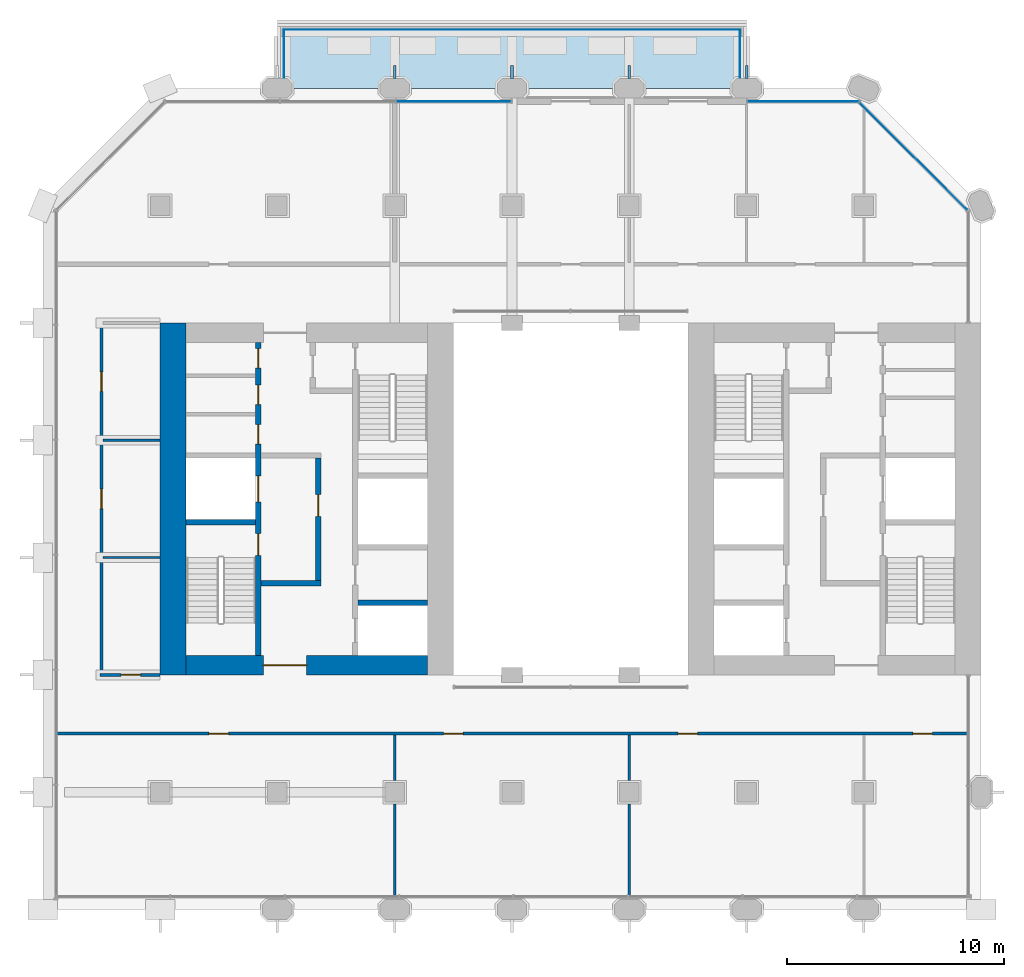
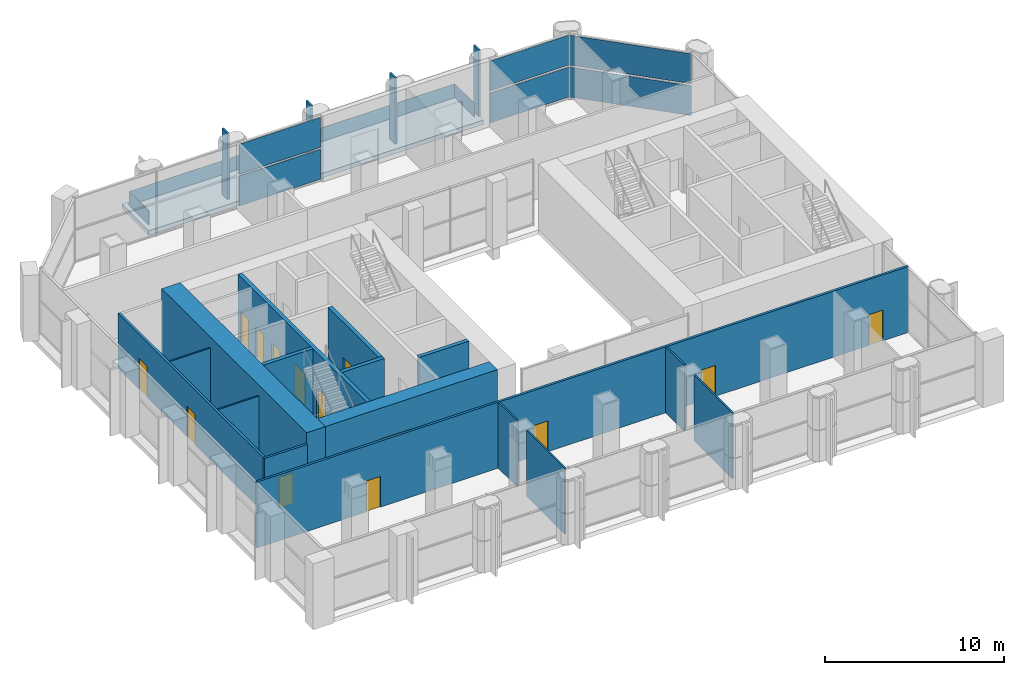
# One storey, part 10 of 15: 16 walls, 14 doors, 13 plates, 1 slab, 14 openings, 3 elements without a shape of their own.
"""IFC4 building model written with IfcOpenShell, lengths in metres."""

from ifc_helpers import new_model, si_unit, direction, frame, frame_2d, origin, origin_2d, place, context, subcontext, project, spatial, polyline, rectangle, outline, extrude, material, layer, layer_set, type_object, element, fill, aggregate, save


model = new_model("IFC4")

# Units and contexts
model_context = context("Model", 3, precision=1e-05, world=origin(), true_north=direction((0.0, 1.0)))
body_context = subcontext(model_context, "Body", "Model", "MODEL_VIEW")
ifc_project = project(units=[si_unit("LENGTHUNIT", "METRE"), si_unit("AREAUNIT", "SQUARE_METRE"), si_unit("VOLUMEUNIT", "CUBIC_METRE"), si_unit("PLANEANGLEUNIT", "RADIAN"), si_unit("MASSUNIT", "GRAM", prefix="KILO")], contexts=[model_context])

# Site, building, storey
site_placement = place(None, origin())
site = spatial("IfcSite", under=ifc_project, at=site_placement, CompositionType="ELEMENT")
building_placement = place(site_placement, origin())
building = spatial("IfcBuilding", under=site, at=building_placement, Name="Tabaq Tower and Sports Hall", CompositionType="ELEMENT")
storey_placement = place(building_placement, frame((0.0, 0.0, 138.39990234375)))
storey = spatial("IfcBuildingStorey", under=building, at=storey_placement, Name="L32", CompositionType="ELEMENT", Elevation=138.39990234375)

# Curtain wall, plates
ifc_material_1 = material(Name="Aluminium alloy 6063-T6 framed glazing", Category="aluminium")
curtain_wall_type = type_object("IfcCurtainWallType", Name="CW3 curtain wall", PredefinedType="USERDEFINED", material=ifc_material_1)
curtain_wall_1_placement = place(storey_placement, origin())
curtain_wall_1 = element("IfcCurtainWall", 1, at=curtain_wall_1_placement, inside=storey, type_object=curtain_wall_type, Name="Garden Floor Wall L32 NE", ObjectType="GARDEN FLOOR WALL", PredefinedType="USERDEFINED")
ifc_material_2 = material(Name="Clear low-emissivity glass 28 mm", Category="glass")
ifc_layer_1 = layer(ifc_material_2, 0.028076171875)
ifc_layer_set_1 = layer_set([ifc_layer_1], Name="CW3 glass panel 28")
plate_type_1 = type_object("IfcPlateType", Name="CW3 glass panel 28", PredefinedType="CURTAIN_PANEL", material=ifc_layer_set_1)
plate_1_placement = place(storey_placement, frame((40.07568359375, 40.07568359375, 0.14013671875), z_axis=(0.0, 0.0, 1.0), x_axis=(-0.707106781187, 0.707106781187, 0.0)))
plate_1 = element("IfcPlate", 2, at=plate_1_placement, type_object=plate_type_1, Name="CW3 panel 1.1", PredefinedType="CURTAIN_PANEL", context=body_context, shape_type="SweptSolid", body=[
    extrude(rectangle(XDim=7.019775390625, YDim=0.028076171875, at=origin_2d()), origin(), (0.0, 0.0, 1.0), 2.0400390625),
])
plate_2_placement = place(storey_placement, frame((40.07568359375, 40.07568359375, 2.320068359375), z_axis=(0.0, 0.0, 1.0), x_axis=(-0.707106781187, 0.707106781187, 0.0)))
plate_2 = element("IfcPlate", 3, at=plate_2_placement, type_object=plate_type_1, Name="CW3 panel 1.2", PredefinedType="CURTAIN_PANEL", context=body_context, shape_type="SweptSolid", body=[
    extrude(rectangle(XDim=7.019775390625, YDim=0.028076171875, at=origin_2d()), origin(), (0.0, 0.0, 1.0), 2.0400390625),
])
aggregate(curtain_wall_1, [plate_1, plate_2])

curtain_wall_2_placement = place(storey_placement, origin())
curtain_wall_2 = element("IfcCurtainWall", 4, at=curtain_wall_2_placement, inside=storey, type_object=curtain_wall_type, Name="Garden Floor Wall L32 N", ObjectType="GARDEN FLOOR WALL", PredefinedType="USERDEFINED")
plate_3_placement = place(storey_placement, frame((35.0068359375, 42.60009765625, 0.14013671875), z_axis=(0.0, 0.0, 1.0), x_axis=(-1.0, 0.0, 0.0)))
plate_3 = element("IfcPlate", 5, at=plate_3_placement, type_object=plate_type_1, Name="CW3 panel 1.1", PredefinedType="CURTAIN_PANEL", context=body_context, shape_type="SweptSolid", body=[
    extrude(rectangle(XDim=5.093505859375, YDim=0.028076171875, at=origin_2d()), origin(), (0.0, 0.0, 1.0), 2.0400390625),
])
plate_4_placement = place(storey_placement, frame((35.0068359375, 42.60009765625, 2.320068359375), z_axis=(0.0, 0.0, 1.0), x_axis=(-1.0, 0.0, 0.0)))
plate_4 = element("IfcPlate", 6, at=plate_4_placement, type_object=plate_type_1, Name="CW3 panel 1.2", PredefinedType="CURTAIN_PANEL", context=body_context, shape_type="SweptSolid", body=[
    extrude(rectangle(XDim=5.093505859375, YDim=0.028076171875, at=origin_2d()), origin(), (0.0, 0.0, 1.0), 2.0400390625),
])
aggregate(curtain_wall_2, [plate_3, plate_4])

curtain_wall_3_placement = place(storey_placement, origin())
curtain_wall_3 = element("IfcCurtainWall", 7, at=curtain_wall_3_placement, inside=storey, type_object=curtain_wall_type, Name="Garden Floor Wall L32 N", ObjectType="GARDEN FLOOR WALL", PredefinedType="USERDEFINED")
plate_5_placement = place(storey_placement, frame((18.916015625, 42.60009765625, 0.14013671875), z_axis=(0.0, 0.0, 1.0), x_axis=(-1.0, 0.0, 0.0)))
plate_5 = element("IfcPlate", 8, at=plate_5_placement, type_object=plate_type_1, Name="CW3 panel 1.1", PredefinedType="CURTAIN_PANEL", context=body_context, shape_type="SweptSolid", body=[
    extrude(rectangle(XDim=5.247802734375, YDim=0.028076171875, at=origin_2d()), origin(), (0.0, 0.0, 1.0), 2.0400390625),
])
plate_6_placement = place(storey_placement, frame((18.916015625, 42.60009765625, 2.320068359375), z_axis=(0.0, 0.0, 1.0), x_axis=(-1.0, 0.0, 0.0)))
plate_6 = element("IfcPlate", 9, at=plate_6_placement, type_object=plate_type_1, Name="CW3 panel 1.2", PredefinedType="CURTAIN_PANEL", context=body_context, shape_type="SweptSolid", body=[
    extrude(rectangle(XDim=5.247802734375, YDim=0.028076171875, at=origin_2d()), origin(), (0.0, 0.0, 1.0), 2.0400390625),
])
aggregate(curtain_wall_3, [plate_5, plate_6])

# Slab
ifc_material_3 = material(Name="Concrete C40/50", Category="concrete")
ifc_layer_2 = layer(ifc_material_3, 0.300048828125)
ifc_layer_set_2 = layer_set([ifc_layer_2], Name="Concrete C40/50 PT tray slab 300")
slab_type = type_object("IfcSlabType", Name="Concrete C40/50 PT tray slab 300", PredefinedType="FLOOR", material=ifc_layer_set_2)
slab_placement = place(storey_placement, frame((0.0, 0.0, -0.2998046875)))
element("IfcSlab", 10, at=slab_placement, inside=storey, type_object=slab_type, Name="Tray slab L32", PredefinedType="FLOOR", context=body_context, shape_type="SweptSolid", body=[
    extrude(outline(polyline([(32.39990234375, 43.199951171875), (10.800048828125, 43.199951171875), (10.800048828125, 46.199951171875), (32.39990234375, 46.199951171875), (32.39990234375, 43.199951171875)])), origin(), (0.0, 0.0, 1.0), 0.2998046875),
])

# Plates
ifc_material_4 = material(Name="Clear low-emissivity glass 28 mm", Category="glass")
ifc_layer_3 = layer(ifc_material_4, 0.02001953125)
ifc_layer_set_3 = layer_set([ifc_layer_3], Name="Laminated glass tray guard panel 20")
plate_type_2 = type_object("IfcPlateType", Name="Laminated glass tray guard panel 20", PredefinedType="USERDEFINED", material=ifc_layer_set_3)
plate_7_placement = place(storey_placement, frame((32.10009765625, 43.699951171875, 0.0), z_axis=(0.0, 0.0, 1.0), x_axis=(0.0, 1.0, 0.0)))
element("IfcPlate", 11, at=plate_7_placement, inside=storey, type_object=plate_type_2, Name="Tray guard glass L32", ObjectType="GUARD GLASS", PredefinedType="USERDEFINED", context=body_context, shape_type="SweptSolid", body=[
    extrude(rectangle(XDim=2.199951171875, YDim=0.02001953125, at=frame_2d((1.10009765625, 0.0))), origin(), (0.0, 0.0, 1.0), 0.9501953125),
])
plate_8_placement = place(storey_placement, frame((32.10009765625, 45.89990234375, 0.0), z_axis=(0.0, 0.0, 1.0), x_axis=(-1.0, 0.0, 0.0)))
element("IfcPlate", 12, at=plate_8_placement, inside=storey, type_object=plate_type_2, Name="Tray guard glass L32", ObjectType="GUARD GLASS", PredefinedType="USERDEFINED", context=body_context, shape_type="SweptSolid", body=[
    extrude(rectangle(XDim=21.0, YDim=0.02001953125, at=frame_2d((10.5, 0.0))), origin(), (0.0, 0.0, 1.0), 0.9501953125),
])
plate_9_placement = place(storey_placement, frame((11.10009765625, 45.89990234375, 0.0), z_axis=(0.0, 0.0, 1.0), x_axis=(0.0, -1.0, 0.0)))
element("IfcPlate", 13, at=plate_9_placement, inside=storey, type_object=plate_type_2, Name="Tray guard glass L32", ObjectType="GUARD GLASS", PredefinedType="USERDEFINED", context=body_context, shape_type="SweptSolid", body=[
    extrude(rectangle(XDim=2.199951171875, YDim=0.02001953125, at=frame_2d((1.10009765625, 0.0))), origin(), (0.0, 0.0, 1.0), 0.9501953125),
])
ifc_material_5 = material(Name="White precast concrete C60/75 fin", Category="concrete")
ifc_layer_4 = layer(ifc_material_5, 0.1201171875)
ifc_layer_set_4 = layer_set([ifc_layer_4], Name="White precast concrete C60/75 fin 120")
plate_type_3 = type_object("IfcPlateType", Name="White precast concrete C60/75 fin 120", PredefinedType="USERDEFINED", material=ifc_layer_set_4)
for number, where, z_axis, x_axis, name in (
    (14, (32.39990234375, 43.949951171875, 0.0), (0.0, 0.0, 1.0), (-1.0, 0.0, 0.0), "Fin L32 N"),
    (15, (27.0, 43.949951171875, 0.0), (0.0, 0.0, 1.0), (-1.0, 0.0, 0.0), "Fin L32 N"),
    (16, (21.60009765625, 43.949951171875, 0.0), (0.0, 0.0, 1.0), (-1.0, 0.0, 0.0), "Fin L32 N"),
    (17, (16.199951171875, 43.949951171875, 0.0), (0.0, 0.0, 1.0), (-1.0, 0.0, 0.0), "Fin L32 N"),
):
    element("IfcPlate", number, at=place(storey_placement, frame(where, z_axis=z_axis, x_axis=x_axis)), inside=storey, type_object=plate_type_3, Name=name, ObjectType="FIN", PredefinedType="USERDEFINED", context=body_context, shape_type="SweptSolid", body=[
        extrude(rectangle(XDim=0.1201171875, YDim=0.60009765625, at=origin_2d()), origin(), (0.0, 0.0, 1.0), 4.5),
    ])

# Wall
ifc_material_6 = material(Name="Concrete C50/60", Category="concrete")
ifc_layer_5 = layer(ifc_material_6, 1.199951171875)
ifc_layer_set_5 = layer_set([ifc_layer_5], Name="Core wall 1200 Concrete C50/60")
wall_type_1 = type_object("IfcWallType", Name="Core wall 1200 Concrete C50/60", PredefinedType="SOLIDWALL", material=ifc_layer_set_5)
wall_1_placement = place(storey_placement, frame((6.0, 16.199951171875, 0.0), z_axis=(0.0, 0.0, 1.0), x_axis=(0.0, 1.0, 0.0)))
element("IfcWall", 18, at=wall_1_placement, inside=storey, type_object=wall_type_1, Name="Core wall W L32", PredefinedType="SOLIDWALL", context=body_context, shape_type="SweptSolid", body=[
    extrude(rectangle(XDim=16.199951171875, YDim=1.199951171875, at=frame_2d((8.10009765625, 0.0))), origin(), (0.0, 0.0, 1.0), 4.5),
])

# Wall, opening, door
ifc_material_7 = material(Name="Concrete C50/60", Category="concrete")
ifc_layer_6 = layer(ifc_material_7, 0.89990234375)
ifc_layer_set_6 = layer_set([ifc_layer_6], Name="Core wall 900 Concrete C50/60")
wall_type_2 = type_object("IfcWallType", Name="Core wall 900 Concrete C50/60", PredefinedType="SOLIDWALL", material=ifc_layer_set_6)
wall_2_placement = place(storey_placement, frame((17.699951171875, 16.64990234375, 0.0), z_axis=(0.0, 0.0, 1.0), x_axis=(-1.0, 0.0, 0.0)))
wall_2 = element("IfcWall", 19, at=wall_2_placement, inside=storey, type_object=wall_type_2, Name="Core wall W L32", PredefinedType="SOLIDWALL", context=body_context, shape_type="SweptSolid", body=[
    extrude(rectangle(XDim=11.099853515625, YDim=0.89990234375, at=frame_2d((5.5498046875, 0.0))), origin(), (0.0, 0.0, 1.0), 4.5),
])
opening_1_placement = place(wall_2_placement, frame((5.550048828125, 0.0, 0.0)))
opening_1 = element("IfcOpeningElement", 20, at=opening_1_placement, cuts=wall_2, Name="Opening PD-WL32-01", PredefinedType="OPENING", context=body_context, shape_type="SweptSolid", body=[
    extrude(rectangle(XDim=2.0, YDim=2.39990234375, at=frame_2d((1.0, 1.199951171875))), frame((0.0, 0.449951171875, 0.0), z_axis=(0.0, -1.0, 0.0), x_axis=(1.0, 0.0, 0.0)), (0.0, 0.0, 1.0), 0.89990234375),
])
ifc_material_8 = material(Name="Steel fire door", Category="steel")
door_type_1 = type_object("IfcDoorType", Name="Core entrance door 2000", OperationType="DOUBLE_DOOR_SINGLE_SWING", PredefinedType="DOOR", material=ifc_material_8)
door_1_placement = place(opening_1_placement, origin())
door_1 = element("IfcDoor", 21, at=door_1_placement, inside=storey, type_object=door_type_1, Name="Core entrance south W L32", OperationType="DOUBLE_DOOR_SINGLE_SWING", OverallHeight=2.39990234375, OverallWidth=2.0, PredefinedType="DOOR", context=body_context, shape_type="SweptSolid", body=[
    extrude(rectangle(XDim=2.0, YDim=2.39990234375, at=frame_2d((1.0, 1.199951171875))), frame((0.0, 0.02490234375, 0.0), z_axis=(0.0, -1.0, 0.0), x_axis=(1.0, 0.0, 0.0)), (0.0, 0.0, 1.0), 0.050048828125),
])
fill(opening_1, door_1)

# Walls
ifc_material_9 = material(Name="Gypsum board on steel studs", Category="steel")
ifc_layer_7 = layer(ifc_material_9, 0.10009765625)
ifc_layer_set_7 = layer_set([ifc_layer_7], Name="Partition 100 Gypsum board")
wall_type_3 = type_object("IfcWallType", Name="Partition 100 Gypsum board", PredefinedType="PARTITIONING", material=ifc_layer_set_7)
wall_3_placement = place(storey_placement, frame((16.199951171875, 6.0, 0.0), z_axis=(0.0, 0.0, 1.0), x_axis=(0.0, 1.0, 0.0)))
element("IfcWall", 22, at=wall_3_placement, inside=storey, type_object=wall_type_3, Name="Partition wall L32", PredefinedType="PARTITIONING", context=body_context, shape_type="SweptSolid", body=[
    extrude(rectangle(XDim=4.249267578125, YDim=0.10009765625, at=frame_2d((2.12451171875, 0.0))), origin(), (0.0, 0.0, 1.0), 4.5),
])
wall_4_placement = place(storey_placement, frame((16.199951171875, 11.3505859375, 0.0), z_axis=(0.0, 0.0, 1.0), x_axis=(0.0, 1.0, 0.0)))
element("IfcWall", 23, at=wall_4_placement, inside=storey, type_object=wall_type_3, Name="Partition wall L32", PredefinedType="PARTITIONING", context=body_context, shape_type="SweptSolid", body=[
    extrude(rectangle(XDim=2.074462890625, YDim=0.10009765625, at=frame_2d((1.037109375, 0.0))), origin(), (0.0, 0.0, 1.0), 4.5),
])
wall_5_placement = place(storey_placement, frame((27.0, 6.0, 0.0), z_axis=(0.0, 0.0, 1.0), x_axis=(0.0, 1.0, 0.0)))
element("IfcWall", 24, at=wall_5_placement, inside=storey, type_object=wall_type_3, Name="Partition wall L32", PredefinedType="PARTITIONING", context=body_context, shape_type="SweptSolid", body=[
    extrude(rectangle(XDim=4.249267578125, YDim=0.10009765625, at=frame_2d((2.12451171875, 0.0))), origin(), (0.0, 0.0, 1.0), 4.5),
])
wall_6_placement = place(storey_placement, frame((27.0, 11.3505859375, 0.0), z_axis=(0.0, 0.0, 1.0), x_axis=(0.0, 1.0, 0.0)))
element("IfcWall", 25, at=wall_6_placement, inside=storey, type_object=wall_type_3, Name="Partition wall L32", PredefinedType="PARTITIONING", context=body_context, shape_type="SweptSolid", body=[
    extrude(rectangle(XDim=2.074462890625, YDim=0.10009765625, at=frame_2d((1.037109375, 0.0))), origin(), (0.0, 0.0, 1.0), 4.5),
])
for number, where, z_axis, x_axis, name in (
    (26, (5.39990234375, 21.60009765625, 0.0), (0.0, 0.0, 1.0), (-1.0, 0.0, 0.0), "Partition wall L32"),
    (27, (5.39990234375, 27.0, 0.0), (0.0, 0.0, 1.0), (-1.0, 0.0, 0.0), "Partition wall L32"),
):
    element("IfcWall", number, at=place(storey_placement, frame(where, z_axis=z_axis, x_axis=x_axis)), inside=storey, type_object=wall_type_3, Name=name, PredefinedType="PARTITIONING", context=body_context, shape_type="SweptSolid", body=[
        extrude(rectangle(XDim=2.625, YDim=0.10009765625, at=frame_2d((1.3125, 0.0))), origin(), (0.0, 0.0, 1.0), 3.75),
    ])

# Wall, opening, door
ifc_material_10 = material(Name="Blockwork", Category="masonry")
ifc_layer_8 = layer(ifc_material_10, 0.14990234375)
ifc_layer_set_8 = layer_set([ifc_layer_8], Name="Separating wall 150 Blockwork")
wall_type_4 = type_object("IfcWallType", Name="Separating wall 150 Blockwork", PredefinedType="PARTITIONING", material=ifc_layer_set_8)
wall_7_placement = place(storey_placement, frame((5.39990234375, 16.199951171875, 0.0), z_axis=(0.0, 0.0, 1.0), x_axis=(-1.0, 0.0, 0.0)))
wall_7 = element("IfcWall", 28, at=wall_7_placement, inside=storey, type_object=wall_type_4, Name="Separating wall L32", PredefinedType="PARTITIONING", context=body_context, shape_type="SweptSolid", body=[
    extrude(rectangle(XDim=2.77490234375, YDim=0.14990234375, at=frame_2d((1.387451171875, 0.0))), origin(), (0.0, 0.0, 1.0), 3.75),
])
opening_2_placement = place(wall_7_placement, frame((0.89990234375, 0.0, 0.0)))
opening_2 = element("IfcOpeningElement", 29, at=opening_2_placement, cuts=wall_7, Name="Opening L32-010", PredefinedType="OPENING", context=body_context, shape_type="SweptSolid", body=[
    extrude(rectangle(XDim=0.89990234375, YDim=2.10009765625, at=frame_2d((0.449951171875, 1.050048828125))), frame((0.0, 0.074951171875, 0.0), z_axis=(0.0, -1.0, 0.0), x_axis=(1.0, 0.0, 0.0)), (0.0, 0.0, 1.0), 0.14990234375),
])
ifc_material_11 = material(Name="Timber leaf in steel frame", Category="steel")
door_type_2 = type_object("IfcDoorType", Name="Internal door 900 left hand", OperationType="SINGLE_SWING_LEFT", PredefinedType="DOOR", material=ifc_material_11)
door_2_placement = place(opening_2_placement, origin())
door_2 = element("IfcDoor", 30, at=door_2_placement, inside=storey, type_object=door_type_2, Name="Internal door L32-010", OperationType="SINGLE_SWING_LEFT", OverallHeight=2.10009765625, OverallWidth=0.89990234375, PredefinedType="DOOR", context=body_context, shape_type="SweptSolid", body=[
    extrude(rectangle(XDim=0.89990234375, YDim=2.10009765625, at=frame_2d((0.449951171875, 1.050048828125))), frame((0.0, 0.02490234375, 0.0), z_axis=(0.0, -1.0, 0.0), x_axis=(1.0, 0.0, 0.0)), (0.0, 0.0, 1.0), 0.050048828125),
])
fill(opening_2, door_2)

# Wall, openings, doors
wall_8_placement = place(storey_placement, frame((2.699951171875, 16.27490234375, 0.0), z_axis=(0.0, 0.0, 1.0), x_axis=(0.0, 1.0, 0.0)))
wall_8 = element("IfcWall", 31, at=wall_8_placement, inside=storey, type_object=wall_type_4, Name="Separating wall L32", PredefinedType="PARTITIONING", context=body_context, shape_type="SweptSolid", body=[
    extrude(rectangle(XDim=16.2001953125, YDim=0.14990234375, at=frame_2d((8.10009765625, 0.0))), origin(), (0.0, 0.0, 1.0), 3.75),
])
opening_3_placement = place(wall_8_placement, frame((7.574951171875, 0.0, 0.0)))
opening_3 = element("IfcOpeningElement", 32, at=opening_3_placement, cuts=wall_8, Name="Opening L32-011", PredefinedType="OPENING", context=body_context, shape_type="SweptSolid", body=[
    extrude(rectangle(XDim=0.89990234375, YDim=2.10009765625, at=frame_2d((0.449951171875, 1.050048828125))), frame((0.0, 0.074951171875, 0.0), z_axis=(0.0, -1.0, 0.0), x_axis=(1.0, 0.0, 0.0)), (0.0, 0.0, 1.0), 0.14990234375),
])
opening_4_placement = place(wall_8_placement, frame((12.97509765625, 0.0, 0.0)))
opening_4 = element("IfcOpeningElement", 33, at=opening_4_placement, cuts=wall_8, Name="Opening L32-012", PredefinedType="OPENING", context=body_context, shape_type="SweptSolid", body=[
    extrude(rectangle(XDim=0.89990234375, YDim=2.10009765625, at=frame_2d((0.449951171875, 1.050048828125))), frame((0.0, 0.074951171875, 0.0), z_axis=(0.0, -1.0, 0.0), x_axis=(1.0, 0.0, 0.0)), (0.0, 0.0, 1.0), 0.14990234375),
])
door_3_placement = place(opening_3_placement, origin())
door_3 = element("IfcDoor", 34, at=door_3_placement, inside=storey, type_object=door_type_2, Name="Internal door L32-011", OperationType="SINGLE_SWING_LEFT", OverallHeight=2.10009765625, OverallWidth=0.89990234375, PredefinedType="DOOR", context=body_context, shape_type="SweptSolid", body=[
    extrude(rectangle(XDim=0.89990234375, YDim=2.10009765625, at=frame_2d((0.449951171875, 1.050048828125))), frame((0.0, 0.02490234375, 0.0), z_axis=(0.0, -1.0, 0.0), x_axis=(1.0, 0.0, 0.0)), (0.0, 0.0, 1.0), 0.050048828125),
])
fill(opening_3, door_3)
door_4_placement = place(opening_4_placement, origin())
door_4 = element("IfcDoor", 35, at=door_4_placement, inside=storey, type_object=door_type_2, Name="Internal door L32-012", OperationType="SINGLE_SWING_LEFT", OverallHeight=2.10009765625, OverallWidth=0.89990234375, PredefinedType="DOOR", context=body_context, shape_type="SweptSolid", body=[
    extrude(rectangle(XDim=0.89990234375, YDim=2.10009765625, at=frame_2d((0.449951171875, 1.050048828125))), frame((0.0, 0.02490234375, 0.0), z_axis=(0.0, -1.0, 0.0), x_axis=(1.0, 0.0, 0.0)), (0.0, 0.0, 1.0), 0.050048828125),
])
fill(opening_4, door_4)

wall_9_placement = place(storey_placement, frame((0.60009765625, 13.5, 0.0), z_axis=(0.0, 0.0, 1.0), x_axis=(1.0, 0.0, 0.0)))
wall_9 = element("IfcWall", 36, at=wall_9_placement, inside=storey, type_object=wall_type_4, Name="Separating wall L32", PredefinedType="PARTITIONING", context=body_context, shape_type="SweptSolid", body=[
    extrude(rectangle(XDim=42.0, YDim=0.14990234375, at=frame_2d((21.0, 0.0))), origin(), (0.0, 0.0, 1.0), 4.5),
])
opening_5_placement = place(wall_9_placement, frame((7.050048828125, 0.0, 0.0)))
opening_5 = element("IfcOpeningElement", 37, at=opening_5_placement, cuts=wall_9, Name="Opening L32-006", PredefinedType="OPENING", context=body_context, shape_type="SweptSolid", body=[
    extrude(rectangle(XDim=0.89990234375, YDim=2.10009765625, at=frame_2d((0.449951171875, 1.050048828125))), frame((0.0, 0.074951171875, 0.0), z_axis=(0.0, -1.0, 0.0), x_axis=(1.0, 0.0, 0.0)), (0.0, 0.0, 1.0), 0.14990234375),
])
opening_6_placement = place(wall_9_placement, frame((17.85009765625, 0.0, 0.0)))
opening_6 = element("IfcOpeningElement", 38, at=opening_6_placement, cuts=wall_9, Name="Opening L32-007", PredefinedType="OPENING", context=body_context, shape_type="SweptSolid", body=[
    extrude(rectangle(XDim=0.89990234375, YDim=2.10009765625, at=frame_2d((0.449951171875, 1.050048828125))), frame((0.0, 0.074951171875, 0.0), z_axis=(0.0, -1.0, 0.0), x_axis=(1.0, 0.0, 0.0)), (0.0, 0.0, 1.0), 0.14990234375),
])
opening_7_placement = place(wall_9_placement, frame((28.64990234375, 0.0, 0.0)))
opening_7 = element("IfcOpeningElement", 39, at=opening_7_placement, cuts=wall_9, Name="Opening L32-008", PredefinedType="OPENING", context=body_context, shape_type="SweptSolid", body=[
    extrude(rectangle(XDim=0.89990234375, YDim=2.10009765625, at=frame_2d((0.449951171875, 1.050048828125))), frame((0.0, 0.074951171875, 0.0), z_axis=(0.0, -1.0, 0.0), x_axis=(1.0, 0.0, 0.0)), (0.0, 0.0, 1.0), 0.14990234375),
])
opening_8_placement = place(wall_9_placement, frame((39.449951171875, 0.0, 0.0)))
opening_8 = element("IfcOpeningElement", 40, at=opening_8_placement, cuts=wall_9, Name="Opening L32-009", PredefinedType="OPENING", context=body_context, shape_type="SweptSolid", body=[
    extrude(rectangle(XDim=0.89990234375, YDim=2.10009765625, at=frame_2d((0.449951171875, 1.050048828125))), frame((0.0, 0.074951171875, 0.0), z_axis=(0.0, -1.0, 0.0), x_axis=(1.0, 0.0, 0.0)), (0.0, 0.0, 1.0), 0.14990234375),
])
door_5_placement = place(opening_8_placement, origin())
door_5 = element("IfcDoor", 41, at=door_5_placement, inside=storey, type_object=door_type_2, Name="Internal door L32-009", OperationType="SINGLE_SWING_LEFT", OverallHeight=2.10009765625, OverallWidth=0.89990234375, PredefinedType="DOOR", context=body_context, shape_type="SweptSolid", body=[
    extrude(rectangle(XDim=0.89990234375, YDim=2.10009765625, at=frame_2d((0.449951171875, 1.050048828125))), frame((0.0, 0.02490234375, 0.0), z_axis=(0.0, -1.0, 0.0), x_axis=(1.0, 0.0, 0.0)), (0.0, 0.0, 1.0), 0.050048828125),
])
fill(opening_8, door_5)
ifc_material_12 = material(Name="Timber leaf in steel frame", Category="steel")
door_type_3 = type_object("IfcDoorType", Name="Internal door 900 right hand", OperationType="SINGLE_SWING_RIGHT", PredefinedType="DOOR", material=ifc_material_12)
door_6_placement = place(opening_5_placement, origin())
door_6 = element("IfcDoor", 42, at=door_6_placement, inside=storey, type_object=door_type_3, Name="Internal door L32-006", OperationType="SINGLE_SWING_RIGHT", OverallHeight=2.10009765625, OverallWidth=0.89990234375, PredefinedType="DOOR", context=body_context, shape_type="SweptSolid", body=[
    extrude(rectangle(XDim=0.89990234375, YDim=2.10009765625, at=frame_2d((0.449951171875, 1.050048828125))), frame((0.0, 0.02490234375, 0.0), z_axis=(0.0, -1.0, 0.0), x_axis=(1.0, 0.0, 0.0)), (0.0, 0.0, 1.0), 0.050048828125),
])
fill(opening_5, door_6)
door_7_placement = place(opening_6_placement, origin())
door_7 = element("IfcDoor", 43, at=door_7_placement, inside=storey, type_object=door_type_3, Name="Internal door L32-007", OperationType="SINGLE_SWING_RIGHT", OverallHeight=2.10009765625, OverallWidth=0.89990234375, PredefinedType="DOOR", context=body_context, shape_type="SweptSolid", body=[
    extrude(rectangle(XDim=0.89990234375, YDim=2.10009765625, at=frame_2d((0.449951171875, 1.050048828125))), frame((0.0, 0.02490234375, 0.0), z_axis=(0.0, -1.0, 0.0), x_axis=(1.0, 0.0, 0.0)), (0.0, 0.0, 1.0), 0.050048828125),
])
fill(opening_6, door_7)
door_8_placement = place(opening_7_placement, origin())
door_8 = element("IfcDoor", 44, at=door_8_placement, inside=storey, type_object=door_type_3, Name="Internal door L32-008", OperationType="SINGLE_SWING_RIGHT", OverallHeight=2.10009765625, OverallWidth=0.89990234375, PredefinedType="DOOR", context=body_context, shape_type="SweptSolid", body=[
    extrude(rectangle(XDim=0.89990234375, YDim=2.10009765625, at=frame_2d((0.449951171875, 1.050048828125))), frame((0.0, 0.02490234375, 0.0), z_axis=(0.0, -1.0, 0.0), x_axis=(1.0, 0.0, 0.0)), (0.0, 0.0, 1.0), 0.050048828125),
])
fill(opening_7, door_8)

ifc_material_13 = material(Name="Concrete C40/50", Category="concrete")
ifc_layer_9 = layer(ifc_material_13, 0.25)
ifc_layer_set_9 = layer_set([ifc_layer_9], Name="Shaft and stair wall 250 Concrete C40/50")
wall_type_5 = type_object("IfcWallType", Name="Shaft and stair wall 250 Concrete C40/50", PredefinedType="SOLIDWALL", material=ifc_layer_set_9)
wall_10_placement = place(storey_placement, frame((9.925048828125, 17.10009765625, 0.0), z_axis=(0.0, 0.0, 1.0), x_axis=(0.0, 1.0, 0.0)))
wall_10 = element("IfcWall", 45, at=wall_10_placement, inside=storey, type_object=wall_type_5, Name="Shaft wall W L32", PredefinedType="SOLIDWALL", context=body_context, shape_type="SweptSolid", body=[
    extrude(rectangle(XDim=14.39990234375, YDim=0.25, at=frame_2d((7.199951171875, 0.0))), origin(), (0.0, 0.0, 1.0), 4.5),
])
opening_9_placement = place(wall_10_placement, frame((4.60009765625, 0.0, 0.0)))
opening_9 = element("IfcOpeningElement", 46, at=opening_9_placement, cuts=wall_10, Name="Opening SD-WL32-03", PredefinedType="OPENING", context=body_context, shape_type="SweptSolid", body=[
    extrude(rectangle(XDim=1.0, YDim=2.10009765625, at=frame_2d((0.5, 1.050048828125))), frame((0.0, 0.125, 0.0), z_axis=(0.0, -1.0, 0.0), x_axis=(1.0, 0.0, 0.0)), (0.0, 0.0, 1.0), 0.25),
])
opening_10_placement = place(wall_10_placement, frame((7.0625, 0.0, 0.0)))
opening_10 = element("IfcOpeningElement", 47, at=opening_10_placement, cuts=wall_10, Name="Opening LD-FF1-L32", PredefinedType="OPENING", context=body_context, shape_type="SweptSolid", body=[
    extrude(rectangle(XDim=1.199951171875, YDim=2.10009765625, at=frame_2d((0.60009765625, 1.050048828125))), frame((0.0, 0.125, 0.0), z_axis=(0.0, -1.0, 0.0), x_axis=(1.0, 0.0, 0.0)), (0.0, 0.0, 1.0), 0.25),
])
opening_11_placement = place(wall_10_placement, frame((9.7255859375, 0.0, 0.0)))
opening_11 = element("IfcOpeningElement", 48, at=opening_11_placement, cuts=wall_10, Name="Opening RD-WL32-09", PredefinedType="OPENING", context=body_context, shape_type="SweptSolid", body=[
    extrude(rectangle(XDim=0.89990234375, YDim=2.10009765625, at=frame_2d((0.449951171875, 1.050048828125))), frame((0.0, 0.125, 0.0), z_axis=(0.0, -1.0, 0.0), x_axis=(1.0, 0.0, 0.0)), (0.0, 0.0, 1.0), 0.25),
])
opening_12_placement = place(wall_10_placement, frame((11.5390625, 0.0, 0.0)))
opening_12 = element("IfcOpeningElement", 49, at=opening_12_placement, cuts=wall_10, Name="Opening RD-WL32-10", PredefinedType="OPENING", context=body_context, shape_type="SweptSolid", body=[
    extrude(rectangle(XDim=0.89990234375, YDim=2.10009765625, at=frame_2d((0.449951171875, 1.050048828125))), frame((0.0, 0.125, 0.0), z_axis=(0.0, -1.0, 0.0), x_axis=(1.0, 0.0, 0.0)), (0.0, 0.0, 1.0), 0.25),
])
opening_13_placement = place(wall_10_placement, frame((13.22607421875, 0.0, 0.0)))
opening_13 = element("IfcOpeningElement", 50, at=opening_13_placement, cuts=wall_10, Name="Opening RD-WL32-11", PredefinedType="OPENING", context=body_context, shape_type="SweptSolid", body=[
    extrude(rectangle(XDim=0.89990234375, YDim=2.10009765625, at=frame_2d((0.449951171875, 1.050048828125))), frame((0.0, 0.125, 0.0), z_axis=(0.0, -1.0, 0.0), x_axis=(1.0, 0.0, 0.0)), (0.0, 0.0, 1.0), 0.25),
])
ifc_material_14 = material(Name="Steel fire door", Category="steel")
door_type_4 = type_object("IfcDoorType", Name="Core room door 900", OperationType="SINGLE_SWING_LEFT", PredefinedType="DOOR", material=ifc_material_14)
door_9_placement = place(opening_11_placement, origin())
door_9 = element("IfcDoor", 51, at=door_9_placement, inside=storey, type_object=door_type_4, Name="Door Accessible WC W L32", OperationType="SINGLE_SWING_LEFT", OverallHeight=2.10009765625, OverallWidth=0.89990234375, PredefinedType="DOOR", context=body_context, shape_type="SweptSolid", body=[
    extrude(rectangle(XDim=0.89990234375, YDim=2.10009765625, at=frame_2d((0.449951171875, 1.050048828125))), frame((0.0, 0.02490234375, 0.0), z_axis=(0.0, -1.0, 0.0), x_axis=(1.0, 0.0, 0.0)), (0.0, 0.0, 1.0), 0.050048828125),
])
fill(opening_11, door_9)
door_10_placement = place(opening_12_placement, origin())
door_10 = element("IfcDoor", 52, at=door_10_placement, inside=storey, type_object=door_type_4, Name="Door Unisex WC W L32", OperationType="SINGLE_SWING_LEFT", OverallHeight=2.10009765625, OverallWidth=0.89990234375, PredefinedType="DOOR", context=body_context, shape_type="SweptSolid", body=[
    extrude(rectangle(XDim=0.89990234375, YDim=2.10009765625, at=frame_2d((0.449951171875, 1.050048828125))), frame((0.0, 0.02490234375, 0.0), z_axis=(0.0, -1.0, 0.0), x_axis=(1.0, 0.0, 0.0)), (0.0, 0.0, 1.0), 0.050048828125),
])
fill(opening_12, door_10)
door_11_placement = place(opening_13_placement, origin())
door_11 = element("IfcDoor", 53, at=door_11_placement, inside=storey, type_object=door_type_4, Name="Door Cleaner's Store W L32", OperationType="SINGLE_SWING_LEFT", OverallHeight=2.10009765625, OverallWidth=0.89990234375, PredefinedType="DOOR", context=body_context, shape_type="SweptSolid", body=[
    extrude(rectangle(XDim=0.89990234375, YDim=2.10009765625, at=frame_2d((0.449951171875, 1.050048828125))), frame((0.0, 0.02490234375, 0.0), z_axis=(0.0, -1.0, 0.0), x_axis=(1.0, 0.0, 0.0)), (0.0, 0.0, 1.0), 0.050048828125),
])
fill(opening_13, door_11)
ifc_material_15 = material(Name="Stainless steel", Category="steel")
door_type_5 = type_object("IfcDoorType", Name="Lift landing door 1200", OperationType="DOUBLE_DOOR_SLIDING", PredefinedType="DOOR", material=ifc_material_15)
door_12_placement = place(opening_10_placement, origin())
door_12 = element("IfcDoor", 54, at=door_12_placement, inside=storey, type_object=door_type_5, Name="Lift landing door FF1 W L32", OperationType="DOUBLE_DOOR_SLIDING", OverallHeight=2.10009765625, OverallWidth=1.199951171875, PredefinedType="DOOR", context=body_context, shape_type="SweptSolid", body=[
    extrude(rectangle(XDim=1.199951171875, YDim=2.10009765625, at=frame_2d((0.60009765625, 1.050048828125))), frame((0.0, 0.02490234375, 0.0), z_axis=(0.0, -1.0, 0.0), x_axis=(1.0, 0.0, 0.0)), (0.0, 0.0, 1.0), 0.050048828125),
])
fill(opening_10, door_12)
ifc_material_16 = material(Name="Steel fire door", Category="steel")
door_type_6 = type_object("IfcDoorType", Name="Stair door 1000", OperationType="SINGLE_SWING_LEFT", PredefinedType="DOOR", material=ifc_material_16)
door_13_placement = place(opening_9_placement, origin())
door_13 = element("IfcDoor", 55, at=door_13_placement, inside=storey, type_object=door_type_6, Name="Stair door ST1 W L32", OperationType="SINGLE_SWING_LEFT", OverallHeight=2.10009765625, OverallWidth=1.0, PredefinedType="DOOR", context=body_context, shape_type="SweptSolid", body=[
    extrude(rectangle(XDim=1.0, YDim=2.10009765625, at=frame_2d((0.5, 1.050048828125))), frame((0.0, 0.02490234375, 0.0), z_axis=(0.0, -1.0, 0.0), x_axis=(1.0, 0.0, 0.0)), (0.0, 0.0, 1.0), 0.050048828125),
])
fill(opening_9, door_13)

# Walls
wall_11_placement = place(storey_placement, frame((6.60009765625, 23.22509765625, 0.0), z_axis=(0.0, 0.0, 1.0), x_axis=(1.0, 0.0, 0.0)))
element("IfcWall", 56, at=wall_11_placement, inside=storey, type_object=wall_type_5, Name="Stair enclosure wall W L32", PredefinedType="SOLIDWALL", context=body_context, shape_type="SweptSolid", body=[
    extrude(rectangle(XDim=3.199951171875, YDim=0.25, at=frame_2d((1.60009765625, 0.0))), origin(), (0.0, 0.0, 1.0), 4.5),
])
wall_12_placement = place(storey_placement, frame((10.050048828125, 20.425048828125, 0.0), z_axis=(0.0, 0.0, 1.0), x_axis=(1.0, 0.0, 0.0)))
element("IfcWall", 57, at=wall_12_placement, inside=storey, type_object=wall_type_5, Name="Fire-fighting lobby wall W L32", PredefinedType="SOLIDWALL", context=body_context, shape_type="SweptSolid", body=[
    extrude(rectangle(XDim=2.75, YDim=0.25, at=frame_2d((1.375, 0.0))), origin(), (0.0, 0.0, 1.0), 4.5),
])

# Wall, opening, door
wall_13_placement = place(storey_placement, frame((12.675048828125, 20.550048828125, 0.0), z_axis=(0.0, 0.0, 1.0), x_axis=(0.0, 1.0, 0.0)))
wall_13 = element("IfcWall", 58, at=wall_13_placement, inside=storey, type_object=wall_type_5, Name="Fire-fighting lobby wall W L32", PredefinedType="SOLIDWALL", context=body_context, shape_type="SweptSolid", body=[
    extrude(rectangle(XDim=5.625, YDim=0.25, at=frame_2d((2.8125, 0.0))), origin(), (0.0, 0.0, 1.0), 4.5),
])
opening_14_placement = place(wall_13_placement, frame((2.949951171875, 0.0, 0.0)))
opening_14 = element("IfcOpeningElement", 59, at=opening_14_placement, cuts=wall_13, Name="Opening FD-WL32-04", PredefinedType="OPENING", context=body_context, shape_type="SweptSolid", body=[
    extrude(rectangle(XDim=1.0, YDim=2.10009765625, at=frame_2d((0.5, 1.050048828125))), frame((0.0, 0.125, 0.0), z_axis=(0.0, -1.0, 0.0), x_axis=(1.0, 0.0, 0.0)), (0.0, 0.0, 1.0), 0.25),
])
ifc_material_17 = material(Name="Steel fire door", Category="steel")
door_type_7 = type_object("IfcDoorType", Name="Fire-fighting lobby door 1000", OperationType="SINGLE_SWING_LEFT", PredefinedType="DOOR", material=ifc_material_17)
door_14_placement = place(opening_14_placement, origin())
door_14 = element("IfcDoor", 60, at=door_14_placement, inside=storey, type_object=door_type_7, Name="Fire-fighting lobby door W L32", OperationType="SINGLE_SWING_LEFT", OverallHeight=2.10009765625, OverallWidth=1.0, PredefinedType="DOOR", context=body_context, shape_type="SweptSolid", body=[
    extrude(rectangle(XDim=1.0, YDim=2.10009765625, at=frame_2d((0.5, 1.050048828125))), frame((0.0, 0.02490234375, 0.0), z_axis=(0.0, -1.0, 0.0), x_axis=(1.0, 0.0, 0.0)), (0.0, 0.0, 1.0), 0.050048828125),
])
fill(opening_14, door_14)

# Wall
wall_14_placement = place(storey_placement, frame((14.5, 19.52490234375, 0.0), z_axis=(0.0, 0.0, 1.0), x_axis=(1.0, 0.0, 0.0)))
element("IfcWall", 61, at=wall_14_placement, inside=storey, type_object=wall_type_5, Name="Shaft wall W L32", PredefinedType="SOLIDWALL", context=body_context, shape_type="SweptSolid", body=[
    extrude(rectangle(XDim=3.199951171875, YDim=0.25, at=frame_2d((1.60009765625, 0.0))), origin(), (0.0, 0.0, 1.0), 4.5),
])

save(model, "model.ifc")
